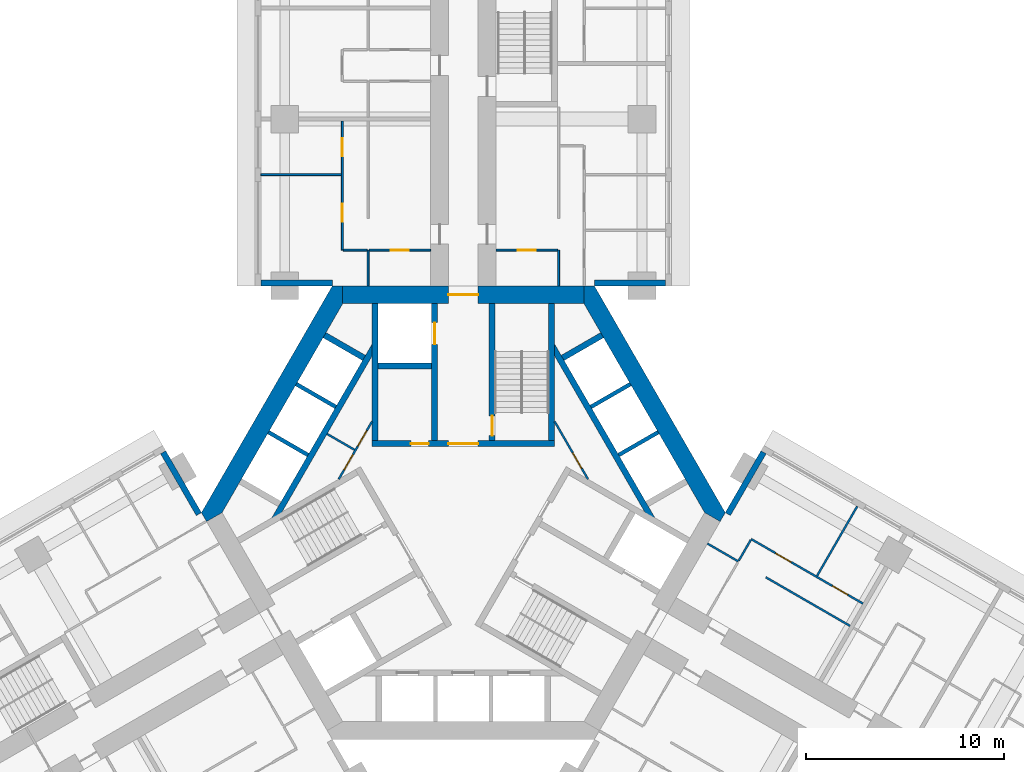
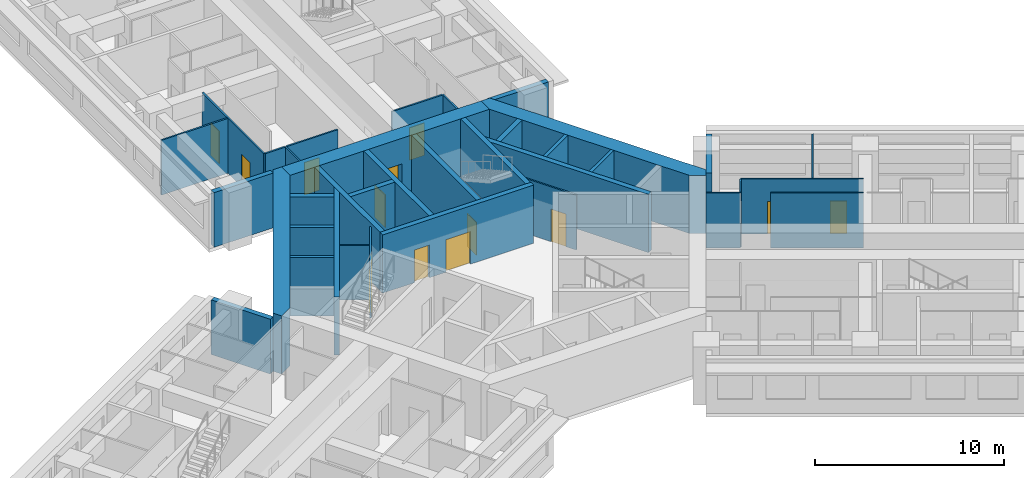
# One storey, part 8 of 16: 36 walls, 14 doors, 14 openings.
"""IFC4 building model written with IfcOpenShell, lengths in metres."""

import ifcopenshell
import ifcopenshell.guid

model = None  # the IFC model being written
_history = None  # IfcOwnerHistory: only IFC2X3 demands one
_inside = {}  # id of a spatial element -> (the spatial element, [elements in it])
_under = {}  # id of a project, library or spatial element -> (it, [spatial elements below it])
_declared = {}  # id of a project -> (the project, [libraries it declares])
_typed = {}  # id of a type object -> (the type object, [elements of that type])
_made_of = {}  # id of a material, layer set ... -> (it, [elements and type objects made of it])


def new_model(schema):
    """Start an empty IFC model of exactly this schema.

    Asked for "IFC4X3", IfcOpenShell would pick the latest addendum, in which some entities
    have other attributes; the version numbers below select the first issue.
    IFC2X3 requires an IfcOwnerHistory on every rooted entity: one is made here for all.
    """
    global model, _history
    if schema == "IFC4X3":
        model = ifcopenshell.file(schema_version=(4, 3, 0, 0))
    else:
        model = ifcopenshell.file(schema=schema)
    _inside.clear()
    _under.clear()
    _declared.clear()
    _typed.clear()
    _made_of.clear()
    _history = None
    if model.schema == "IFC2X3":
        org = make("IfcOrganization", Name="unknown")
        user = make(
            "IfcPersonAndOrganization",
            ThePerson=make("IfcPerson", FamilyName="unknown"),
            TheOrganization=org,
        )
        app = make(
            "IfcApplication",
            ApplicationDeveloper=org,
            Version="unknown",
            ApplicationFullName="unknown",
            ApplicationIdentifier="unknown",
        )
        _history = make(
            "IfcOwnerHistory",
            OwningUser=user,
            OwningApplication=app,
            ChangeAction="ADDED",
            CreationDate=0,
        )
    return model


def make(cls, **values):
    """One entity of the class cls with the attributes given. An attribute that is None is left unset."""
    return model.create_entity(
        cls, **{name: value for name, value in values.items() if value is not None}
    )


def rooted(cls, **values):
    """An entity with a GlobalId (a new one), such as an element, a storey or a relation."""
    return make(cls, GlobalId=ifcopenshell.guid.new(), OwnerHistory=_history, **values)


def si_unit(unit_type, name, prefix=None):
    """IfcSIUnit, for example si_unit("LENGTHUNIT", "METRE", prefix="MILLI")."""
    return make("IfcSIUnit", UnitType=unit_type, Prefix=prefix, Name=name)


def assignment(units):
    """IfcUnitAssignment: the units of a project."""
    return None if units is None else make("IfcUnitAssignment", Units=units)


def point(xyz):
    """IfcCartesianPoint."""
    return None if xyz is None else make("IfcCartesianPoint", Coordinates=xyz)


def direction(xyz):
    """IfcDirection."""
    return None if xyz is None else make("IfcDirection", DirectionRatios=xyz)


def frame(location, z_axis=None, x_axis=None):
    """IfcAxis2Placement3D, a coordinate frame: its origin and axes. An axis left out is left unset."""
    return make(
        "IfcAxis2Placement3D",
        Location=point(location),
        Axis=direction(z_axis),
        RefDirection=direction(x_axis),
    )


def frame_2d(location, x_axis=None):
    """IfcAxis2Placement2D, a coordinate frame in the plane: its origin and x axis."""
    return make(
        "IfcAxis2Placement2D", Location=point(location), RefDirection=direction(x_axis)
    )


def origin():
    """The frame at (0, 0, 0) with its axes left unset."""
    return frame((0.0, 0.0, 0.0))


def place(relative_to, where):
    """IfcLocalPlacement: puts the frame where relative to a parent placement (None: the world)."""
    return make(
        "IfcLocalPlacement", PlacementRelTo=relative_to, RelativePlacement=where
    )


def context(
    kind, dimensions, precision=None, world=None, true_north=None, identifier=None
):
    """IfcGeometricRepresentationContext, for example the 3D "Model" context."""
    return make(
        "IfcGeometricRepresentationContext",
        ContextIdentifier=identifier,
        ContextType=kind,
        CoordinateSpaceDimension=dimensions,
        Precision=precision,
        WorldCoordinateSystem=world,
        TrueNorth=true_north,
    )


def subcontext(parent, identifier, kind, view, scale=None):
    """IfcGeometricRepresentationSubContext, for example "Body" below "Model"."""
    return make(
        "IfcGeometricRepresentationSubContext",
        ContextIdentifier=identifier,
        ContextType=kind,
        ParentContext=parent,
        TargetScale=scale,
        TargetView=view,
    )


def project(units=None, contexts=None):
    """IfcProject with its units and contexts."""
    return rooted(
        "IfcProject",
        Name="project",
        RepresentationContexts=contexts,
        UnitsInContext=assignment(units),
    )


def spatial(cls, under=None, at=None, **own):
    """A site, building, storey or space (cls), placed at a placement, below another one or the project."""
    s = rooted(cls, ObjectPlacement=at, **own)
    if under is not None:
        _under.setdefault(under.id(), (under, []))[1].append(s)
    return s


def polyline(points):
    """IfcPolyline through the points."""
    return make("IfcPolyline", Points=[point(p) for p in points])


def profile(cls, at=None, kind="AREA", **sizes):
    """A parametric profile (cls). Its sizes go by their IFC names, for example OverallWidth=200.0."""
    return make(cls, ProfileType=kind, Position=at, **sizes)


def rectangle(**sizes):
    """IfcRectangleProfileDef."""
    return profile("IfcRectangleProfileDef", **sizes)


def outline(outer, holes=None, kind="AREA"):
    """IfcArbitraryClosedProfileDef: a profile drawn as a closed curve; with holes, ...WithVoids."""
    if holes is None:
        return make("IfcArbitraryClosedProfileDef", ProfileType=kind, OuterCurve=outer)
    return make(
        "IfcArbitraryProfileDefWithVoids",
        ProfileType=kind,
        OuterCurve=outer,
        InnerCurves=holes,
    )


def extrude(swept, where, along, depth):
    """IfcExtrudedAreaSolid: the profile swept, set in the frame where, extruded along a direction by depth."""
    return make(
        "IfcExtrudedAreaSolid",
        SweptArea=swept,
        Position=where,
        ExtrudedDirection=direction(along),
        Depth=depth,
    )


def shape(context_of_items, identifier, shape_type, items):
    """IfcShapeRepresentation: the items that make up one representation, for example the "Body"."""
    return make(
        "IfcShapeRepresentation",
        ContextOfItems=context_of_items,
        RepresentationIdentifier=identifier,
        RepresentationType=shape_type,
        Items=items,
    )


def material(Name=None, Category=None):
    """IfcMaterial."""
    return make("IfcMaterial", Name=Name, Category=Category)


def layer(
    of_material, thickness, ventilated=None, Name=None, Category=None, Priority=None
):
    """IfcMaterialLayer: one layer of a wall or slab, of a material (None: an air gap)."""
    return make(
        "IfcMaterialLayer",
        Material=of_material,
        LayerThickness=thickness,
        IsVentilated=ventilated,
        Name=Name,
        Category=Category,
        Priority=Priority,
    )


def layer_set(layers, Name=None):
    """IfcMaterialLayerSet."""
    return make("IfcMaterialLayerSet", MaterialLayers=layers, LayerSetName=Name)


def made_of(thing, what):
    """Note that an element or type object is made of a material, layer set ...; save() writes the relation."""
    if what is not None:
        _made_of.setdefault(what.id(), (what, []))[1].append(thing)
    return thing


def type_object(cls, material=None, **own):
    """A type object (cls), such as IfcWallType, which elements share."""
    return made_of(rooted(cls, **own), material)


def element(
    cls,
    number,
    at=None,
    inside=None,
    cuts=None,
    type_object=None,
    material=None,
    context=None,
    identifier="Body",
    shape_type=None,
    held_by="IfcProductDefinitionShape",
    body=None,
    shapes=None,
    **own,
):
    """One element of the class cls, such as IfcWall. Its Tag is "e" and its number.

    at: its placement. inside: the storey or other place that contains it. cuts: it is an
    opening in that element (IfcRelVoidsElement). A single representation is given by context,
    identifier, shape_type and body (its items); several are given by shapes. held_by: the class
    of the entity that holds the representations. save() writes the other relations.
    """
    e = rooted(cls, Tag="e%d" % number, ObjectPlacement=at, **own)
    if body is not None:
        shapes = [shape(context, identifier, shape_type, body)]
    if shapes is not None:
        e.Representation = make(held_by, Representations=shapes)
    if inside is not None:
        _inside.setdefault(inside.id(), (inside, []))[1].append(e)
    if cuts is not None:
        rooted(
            "IfcRelVoidsElement", RelatingBuildingElement=cuts, RelatedOpeningElement=e
        )
    if type_object is not None:
        _typed.setdefault(type_object.id(), (type_object, []))[1].append(e)
    return made_of(e, material)


def fill(opening, filler):
    """IfcRelFillsElement: the door or window that sits in an opening."""
    return rooted(
        "IfcRelFillsElement",
        RelatingOpeningElement=opening,
        RelatedBuildingElement=filler,
    )


def aggregate(whole, parts):
    """IfcRelAggregates: a whole, such as a stair, and the parts it consists of."""
    return rooted("IfcRelAggregates", RelatingObject=whole, RelatedObjects=parts)


def save(model, path):
    """Write the relations noted so far, then the file.

    IfcRelAggregates (storeys below a building ...), IfcRelContainedInSpatialStructure (elements
    in a storey), IfcRelDefinesByType, IfcRelAssociatesMaterial and IfcRelDeclares: one each for
    every whole, place, type object, material and project.
    """
    for whole, parts in _under.values():
        aggregate(whole, parts)
    for where, things in _inside.values():
        rooted(
            "IfcRelContainedInSpatialStructure",
            RelatedElements=things,
            RelatingStructure=where,
        )
    for kind, things in _typed.values():
        rooted("IfcRelDefinesByType", RelatedObjects=things, RelatingType=kind)
    for what, things in _made_of.values():
        rooted("IfcRelAssociatesMaterial", RelatedObjects=things, RelatingMaterial=what)
    for by, libraries in _declared.values():
        rooted("IfcRelDeclares", RelatingContext=by, RelatedDefinitions=libraries)
    model.write(path)


model = new_model("IFC4")

# Units and contexts
model_context = context("Model", 3, precision=1e-05, world=origin(), true_north=direction((0.0, 1.0)))
body_context = subcontext(model_context, "Body", "Model", "MODEL_VIEW")
ifc_project = project(units=[si_unit("LENGTHUNIT", "METRE"), si_unit("AREAUNIT", "SQUARE_METRE"), si_unit("VOLUMEUNIT", "CUBIC_METRE"), si_unit("PLANEANGLEUNIT", "RADIAN"), si_unit("MASSUNIT", "GRAM", prefix="KILO")], contexts=[model_context])

# Site, building, storey
site_placement = place(None, origin())
site = spatial("IfcSite", under=ifc_project, at=site_placement, CompositionType="ELEMENT")
building_placement = place(site_placement, origin())
building = spatial("IfcBuilding", under=site, at=building_placement, Name="Impinga Residences", CompositionType="ELEMENT")
storey_placement = place(building_placement, frame((0.0, 0.0, 59.75)))
storey = spatial("IfcBuildingStorey", under=building, at=storey_placement, Name="L14", CompositionType="ELEMENT", Elevation=59.75)

# Wall, opening, door
ifc_material_1 = material(Name="Concrete blockwork", Category="masonry")
ifc_layer_1 = layer(ifc_material_1, 0.10009765625)
ifc_layer_set_1 = layer_set([ifc_layer_1], Name="CP1 core room partition, blockwork 100")
wall_type_1 = type_object("IfcWallType", Name="CP1 core room partition, blockwork 100", PredefinedType="PARTITIONING", material=ifc_layer_set_1)
wall_1_placement = place(storey_placement, frame((4.60009765625, 4.595703125, 0.0), z_axis=(0.0, 0.0, 1.0), x_axis=(0.499976138585, -0.866039179741, 0.0)))
wall_1 = element("IfcWall", 1, at=wall_1_placement, inside=storey, type_object=wall_type_1, Name="Core room partition, blockwork L14:CORE:mid:FP", PredefinedType="PARTITIONING", context=body_context, shape_type="SweptSolid", body=[
    extrude(rectangle(XDim=3.360107421875, YDim=0.10009765625, at=frame_2d((1.68017578125, 0.0))), origin(), (0.0, 0.0, 1.0), 3.530029296875),
])
opening_1_placement = place(wall_1_placement, frame((1.829833984375, 0.0, 0.0)))
opening_1 = element("IfcOpeningElement", 2, at=opening_1_placement, cuts=wall_1, Name="Opening D6", PredefinedType="OPENING", context=body_context, shape_type="SweptSolid", body=[
    extrude(rectangle(XDim=0.89990234375, YDim=2.10009765625, at=frame_2d((0.449951171875, 1.050048828125))), frame((0.0, 0.06005859375, 0.0), z_axis=(0.0, -1.0, 0.0), x_axis=(1.0, 0.0, 0.0)), (0.0, 0.0, 1.0), 0.1201171875),
])
ifc_material_2 = material(Name="Timber door set", Category="wood")
door_type_1 = type_object("IfcDoorType", Name="D6 riser and store door 900x2100", OperationType="SINGLE_SWING_LEFT", PredefinedType="DOOR", material=ifc_material_2)
door_1_placement = place(opening_1_placement, origin())
door_1 = element("IfcDoor", 3, at=door_1_placement, inside=storey, type_object=door_type_1, Name="Residents' storage lockers door", OperationType="SINGLE_SWING_RIGHT", OverallHeight=2.10009765625, OverallWidth=0.89990234375, PredefinedType="DOOR", context=body_context, shape_type="SweptSolid", body=[
    extrude(rectangle(XDim=0.89990234375, YDim=2.10009765625, at=frame_2d((0.449951171875, 1.050048828125))), frame((0.0, 0.02490234375, 0.0), z_axis=(0.0, -1.0, 0.0), x_axis=(1.0, 0.0, 0.0)), (0.0, 0.0, 1.0), 0.050048828125),
])
fill(opening_1, door_1)

# Wall, openings, doors
wall_2_placement = place(storey_placement, frame((-6.280029296875, 1.685791015625, 0.0), z_axis=(0.0, 0.0, 1.0), x_axis=(0.499976138585, 0.866039179741, 0.0)))
wall_2 = element("IfcWall", 4, at=wall_2_placement, inside=storey, type_object=wall_type_1, Name="Core room partition, blockwork L14:CORE:high:FP", PredefinedType="PARTITIONING", context=body_context, shape_type="SweptSolid", body=[
    extrude(rectangle(XDim=3.360107421875, YDim=0.10009765625, at=frame_2d((1.68017578125, 0.0))), origin(), (0.0, 0.0, 1.0), 3.530029296875),
])
opening_2_placement = place(wall_2_placement, frame((0.530029296875, 0.0, 0.0)))
opening_2 = element("IfcOpeningElement", 5, at=opening_2_placement, cuts=wall_2, Name="Opening D6", PredefinedType="OPENING", context=body_context, shape_type="SweptSolid", body=[
    extrude(rectangle(XDim=0.89990234375, YDim=2.10009765625, at=frame_2d((0.449951171875, 1.050048828125))), frame((0.0, 0.06005859375, 0.0), z_axis=(0.0, -1.0, 0.0), x_axis=(1.0, 0.0, 0.0)), (0.0, 0.0, 1.0), 0.1201171875),
])
opening_3_placement = place(wall_2_placement, frame((1.929931640625, 0.0, 0.0)))
opening_3 = element("IfcOpeningElement", 6, at=opening_3_placement, cuts=wall_2, Name="Opening D6", PredefinedType="OPENING", context=body_context, shape_type="SweptSolid", body=[
    extrude(rectangle(XDim=0.89990234375, YDim=2.10009765625, at=frame_2d((0.449951171875, 1.050048828125))), frame((0.0, 0.06005859375, 0.0), z_axis=(0.0, -1.0, 0.0), x_axis=(1.0, 0.0, 0.0)), (0.0, 0.0, 1.0), 0.1201171875),
])
door_2_placement = place(opening_2_placement, origin())
door_2 = element("IfcDoor", 7, at=door_2_placement, inside=storey, type_object=door_type_1, Name="Refuse room door", OperationType="SINGLE_SWING_LEFT", OverallHeight=2.10009765625, OverallWidth=0.89990234375, PredefinedType="DOOR", context=body_context, shape_type="SweptSolid", body=[
    extrude(rectangle(XDim=0.89990234375, YDim=2.10009765625, at=frame_2d((0.449951171875, 1.050048828125))), frame((0.0, 0.02490234375, 0.0), z_axis=(0.0, -1.0, 0.0), x_axis=(1.0, 0.0, 0.0)), (0.0, 0.0, 1.0), 0.050048828125),
])
fill(opening_2, door_2)
door_3_placement = place(opening_3_placement, origin())
door_3 = element("IfcDoor", 8, at=door_3_placement, inside=storey, type_object=door_type_1, Name="Recycling store door", OperationType="SINGLE_SWING_RIGHT", OverallHeight=2.10009765625, OverallWidth=0.89990234375, PredefinedType="DOOR", context=body_context, shape_type="SweptSolid", body=[
    extrude(rectangle(XDim=0.89990234375, YDim=2.10009765625, at=frame_2d((0.449951171875, 1.050048828125))), frame((0.0, 0.02490234375, 0.0), z_axis=(0.0, -1.0, 0.0), x_axis=(1.0, 0.0, 0.0)), (0.0, 0.0, 1.0), 0.050048828125),
])
fill(opening_3, door_3)

# Walls
wall_3_placement = place(storey_placement, frame((-5.483154296875, 3.165771484375, 0.0), z_axis=(0.0, 0.0, 1.0), x_axis=(-0.866028054938, 0.499995408039, 0.0)))
element("IfcWall", 9, at=wall_3_placement, inside=storey, type_object=wall_type_1, Name="Core room partition, blockwork L14:CORE:high:FS", PredefinedType="PARTITIONING", context=body_context, shape_type="SweptSolid", body=[
    extrude(rectangle(XDim=1.60009765625, YDim=0.10009765625, at=frame_2d((0.800048828125, 0.0))), origin(), (0.0, 0.0, 1.0), 3.530029296875),
])
ifc_material_3 = material(Name="Terracotta rainscreen on blockwork", Category="masonry")
ifc_layer_2 = layer(ifc_material_3, 0.300048828125)
ifc_layer_set_2 = layer_set([ifc_layer_2], Name="EW1 external wall, terracotta rainscreen on blockwork 300")
wall_type_2 = type_object("IfcWallType", Name="EW1 external wall, terracotta rainscreen on blockwork 300", PredefinedType="SOLIDWALL", material=ifc_layer_set_2)
wall_4_placement = place(storey_placement, frame((-15.1298828125, 3.042724609375, 0.0), z_axis=(0.0, 0.0, 1.0), x_axis=(0.500012057535, -0.866018442252, 0.0)))
element("IfcWall", 10, at=wall_4_placement, inside=storey, type_object=wall_type_2, Name="External wall EW1 L14", PredefinedType="SOLIDWALL", context=body_context, shape_type="SweptSolid", body=[
    extrude(rectangle(XDim=3.60009765625, YDim=0.300048828125, at=frame_2d((1.800048828125, 0.0))), origin(), (0.0, 0.0, 1.0), 3.530029296875),
])
for number, where, z_axis, x_axis, name in (
    (11, (-6.60009765625, 11.58154296875, 0.0), (0.0, 0.0, 1.0), (-1.0, 0.0, 0.0), "External wall EW1 L14"),
    (12, (10.199951171875, 11.58154296875, 0.0), (0.0, 0.0, 1.0), (-1.0, 0.0, 0.0), "External wall EW1 L14"),
):
    element("IfcWall", number, at=place(storey_placement, frame(where, z_axis=z_axis, x_axis=x_axis)), inside=storey, type_object=wall_type_2, Name=name, PredefinedType="SOLIDWALL", context=body_context, shape_type="SweptSolid", body=[
        extrude(rectangle(XDim=3.599853515625, YDim=0.300048828125, at=frame_2d((1.7998046875, 0.0))), origin(), (0.0, 0.0, 1.0), 3.530029296875),
    ])
wall_5_placement = place(storey_placement, frame((13.329833984375, -0.074951171875, 0.0), z_axis=(0.0, 0.0, 1.0), x_axis=(0.500012057535, 0.866018442252, 0.0)))
element("IfcWall", 13, at=wall_5_placement, inside=storey, type_object=wall_type_2, Name="External wall EW1 L14", PredefinedType="SOLIDWALL", context=body_context, shape_type="SweptSolid", body=[
    extrude(rectangle(XDim=3.60009765625, YDim=0.300048828125, at=frame_2d((1.800048828125, 0.0))), origin(), (0.0, 0.0, 1.0), 3.530029296875),
])
ifc_material_4 = material(Name="Gypsum board on steel studs", Category="steel")
ifc_layer_3 = layer(ifc_material_4, 0.10009765625)
ifc_layer_set_3 = layer_set([ifc_layer_3], Name="Gypsum board on steel studs")
wall_type_3 = type_object("IfcWallType", Name="IP1 partition 100", PredefinedType="PARTITIONING", material=ifc_layer_set_3)
wall_6_placement = place(storey_placement, frame((-4.800048828125, 11.431640625, 0.0), z_axis=(0.0, 0.0, 1.0), x_axis=(0.0, 1.0, 0.0)))
element("IfcWall", 14, at=wall_6_placement, inside=storey, type_object=wall_type_3, Name="Partition L14-NA1:DIV0", PredefinedType="PARTITIONING", context=body_context, shape_type="SweptSolid", body=[
    extrude(rectangle(XDim=1.7998046875, YDim=0.10009765625, at=frame_2d((0.89990234375, 0.0))), origin(), (0.0, 0.0, 1.0), 3.530029296875),
])

# Wall, openings, doors
wall_7_placement = place(storey_placement, frame((-6.10009765625, 13.2314453125, 0.0), z_axis=(0.0, 0.0, 1.0), x_axis=(0.0, 1.0, 0.0)))
wall_7 = element("IfcWall", 15, at=wall_7_placement, inside=storey, type_object=wall_type_3, Name="Partition L14-NA1:STRIP", PredefinedType="PARTITIONING", context=body_context, shape_type="SweptSolid", body=[
    extrude(rectangle(XDim=6.5, YDim=0.10009765625, at=frame_2d((3.25, 0.0))), origin(), (0.0, 0.0, 1.0), 3.530029296875),
])
opening_4_placement = place(wall_7_placement, frame((1.425048828125, 0.0, 0.0)))
opening_4 = element("IfcOpeningElement", 16, at=opening_4_placement, cuts=wall_7, Name="Opening D2", PredefinedType="OPENING", context=body_context, shape_type="SweptSolid", body=[
    extrude(rectangle(XDim=0.89990234375, YDim=2.10009765625, at=frame_2d((0.449951171875, 1.050048828125))), frame((0.0, 0.06005859375, 0.0), z_axis=(0.0, -1.0, 0.0), x_axis=(1.0, 0.0, 0.0)), (0.0, 0.0, 1.0), 0.1201171875),
])
opening_5_placement = place(wall_7_placement, frame((4.72509765625, 0.0, 0.0)))
opening_5 = element("IfcOpeningElement", 17, at=opening_5_placement, cuts=wall_7, Name="Opening D2", PredefinedType="OPENING", context=body_context, shape_type="SweptSolid", body=[
    extrude(rectangle(XDim=0.89990234375, YDim=2.10009765625, at=frame_2d((0.449951171875, 1.050048828125))), frame((0.0, 0.06005859375, 0.0), z_axis=(0.0, -1.0, 0.0), x_axis=(1.0, 0.0, 0.0)), (0.0, 0.0, 1.0), 0.1201171875),
])
door_type_2 = type_object("IfcDoorType", Name="D2 internal door 900x2100", OperationType="SINGLE_SWING_LEFT", PredefinedType="DOOR", material=ifc_material_2)
door_4_placement = place(opening_4_placement, origin())
door_4 = element("IfcDoor", 18, at=door_4_placement, inside=storey, type_object=door_type_2, Name="Apartment L14-NA1 room door", OperationType="SINGLE_SWING_LEFT", OverallHeight=2.10009765625, OverallWidth=0.89990234375, PredefinedType="DOOR", context=body_context, shape_type="SweptSolid", body=[
    extrude(rectangle(XDim=0.89990234375, YDim=2.10009765625, at=frame_2d((0.449951171875, 1.050048828125))), frame((0.0, 0.02490234375, 0.0), z_axis=(0.0, -1.0, 0.0), x_axis=(1.0, 0.0, 0.0)), (0.0, 0.0, 1.0), 0.050048828125),
])
fill(opening_4, door_4)
door_5_placement = place(opening_5_placement, origin())
door_5 = element("IfcDoor", 19, at=door_5_placement, inside=storey, type_object=door_type_2, Name="Apartment L14-NA1 room door", OperationType="SINGLE_SWING_RIGHT", OverallHeight=2.10009765625, OverallWidth=0.89990234375, PredefinedType="DOOR", context=body_context, shape_type="SweptSolid", body=[
    extrude(rectangle(XDim=0.89990234375, YDim=2.10009765625, at=frame_2d((0.449951171875, 1.050048828125))), frame((0.0, 0.02490234375, 0.0), z_axis=(0.0, -1.0, 0.0), x_axis=(1.0, 0.0, 0.0)), (0.0, 0.0, 1.0), 0.050048828125),
])
fill(opening_5, door_5)

# Wall
wall_8_placement = place(storey_placement, frame((-4.85009765625, 13.2314453125, 0.0), z_axis=(0.0, 0.0, 1.0), x_axis=(-1.0, 0.0, 0.0)))
element("IfcWall", 20, at=wall_8_placement, inside=storey, type_object=wall_type_3, Name="Partition L14-NA1:SE0", PredefinedType="PARTITIONING", context=body_context, shape_type="SweptSolid", body=[
    extrude(rectangle(XDim=1.199951171875, YDim=0.10009765625, at=frame_2d((0.60009765625, 0.0))), origin(), (0.0, 0.0, 1.0), 3.530029296875),
])

# Wall, opening, door
wall_9_placement = place(storey_placement, frame((-1.64990234375, 13.2314453125, 0.0), z_axis=(0.0, 0.0, 1.0), x_axis=(-1.0, 0.0, 0.0)))
wall_9 = element("IfcWall", 21, at=wall_9_placement, inside=storey, type_object=wall_type_3, Name="Partition L14-NA1:IB1", PredefinedType="PARTITIONING", context=body_context, shape_type="SweptSolid", body=[
    extrude(rectangle(XDim=3.10009765625, YDim=0.10009765625, at=frame_2d((1.550048828125, 0.0))), origin(), (0.0, 0.0, 1.0), 3.530029296875),
])
opening_6_placement = place(wall_9_placement, frame((1.10009765625, 0.0, 0.0)))
opening_6 = element("IfcOpeningElement", 22, at=opening_6_placement, cuts=wall_9, Name="Opening D2", PredefinedType="OPENING", context=body_context, shape_type="SweptSolid", body=[
    extrude(rectangle(XDim=0.89990234375, YDim=2.10009765625, at=frame_2d((0.449951171875, 1.050048828125))), frame((0.0, 0.06005859375, 0.0), z_axis=(0.0, -1.0, 0.0), x_axis=(1.0, 0.0, 0.0)), (0.0, 0.0, 1.0), 0.1201171875),
])
door_6_placement = place(opening_6_placement, origin())
door_6 = element("IfcDoor", 23, at=door_6_placement, inside=storey, type_object=door_type_2, Name="Apartment L14-NA1 bathroom door", OperationType="SINGLE_SWING_LEFT", OverallHeight=2.10009765625, OverallWidth=0.89990234375, PredefinedType="DOOR", context=body_context, shape_type="SweptSolid", body=[
    extrude(rectangle(XDim=0.89990234375, YDim=2.10009765625, at=frame_2d((0.449951171875, 1.050048828125))), frame((0.0, 0.02490234375, 0.0), z_axis=(0.0, -1.0, 0.0), x_axis=(1.0, 0.0, 0.0)), (0.0, 0.0, 1.0), 0.050048828125),
])
fill(opening_6, door_6)

# Walls
wall_10_placement = place(storey_placement, frame((-6.14990234375, 17.031494140625, 0.0), z_axis=(0.0, 0.0, 1.0), x_axis=(-1.0, 0.0, 0.0)))
element("IfcWall", 24, at=wall_10_placement, inside=storey, type_object=wall_type_3, Name="Partition L14-NA1:OB1", PredefinedType="PARTITIONING", context=body_context, shape_type="SweptSolid", body=[
    extrude(rectangle(XDim=4.050048828125, YDim=0.10009765625, at=frame_2d((2.02490234375, 0.0))), origin(), (0.0, 0.0, 1.0), 3.530029296875),
])
wall_11_placement = place(storey_placement, frame((4.800048828125, 11.431640625, 0.0), z_axis=(0.0, 0.0, 1.0), x_axis=(0.0, 1.0, 0.0)))
element("IfcWall", 25, at=wall_11_placement, inside=storey, type_object=wall_type_3, Name="Partition L14-NF1:DIV0", PredefinedType="PARTITIONING", context=body_context, shape_type="SweptSolid", body=[
    extrude(rectangle(XDim=1.7998046875, YDim=0.10009765625, at=frame_2d((0.89990234375, 0.0))), origin(), (0.0, 0.0, 1.0), 3.530029296875),
])

# Wall, opening, door
wall_12_placement = place(storey_placement, frame((1.64990234375, 13.2314453125, 0.0), z_axis=(0.0, 0.0, 1.0), x_axis=(1.0, 0.0, 0.0)))
wall_12 = element("IfcWall", 26, at=wall_12_placement, inside=storey, type_object=wall_type_3, Name="Partition L14-NF1:IB1", PredefinedType="PARTITIONING", context=body_context, shape_type="SweptSolid", body=[
    extrude(rectangle(XDim=3.10009765625, YDim=0.10009765625, at=frame_2d((1.550048828125, 0.0))), origin(), (0.0, 0.0, 1.0), 3.530029296875),
])
opening_7_placement = place(wall_12_placement, frame((1.10009765625, 0.0, 0.0)))
opening_7 = element("IfcOpeningElement", 27, at=opening_7_placement, cuts=wall_12, Name="Opening D2", PredefinedType="OPENING", context=body_context, shape_type="SweptSolid", body=[
    extrude(rectangle(XDim=0.89990234375, YDim=2.10009765625, at=frame_2d((0.449951171875, 1.050048828125))), frame((0.0, 0.06005859375, 0.0), z_axis=(0.0, -1.0, 0.0), x_axis=(1.0, 0.0, 0.0)), (0.0, 0.0, 1.0), 0.1201171875),
])
door_7_placement = place(opening_7_placement, origin())
door_7 = element("IfcDoor", 28, at=door_7_placement, inside=storey, type_object=door_type_2, Name="Apartment L14-NF1 bathroom door", OperationType="SINGLE_SWING_LEFT", OverallHeight=2.10009765625, OverallWidth=0.89990234375, PredefinedType="DOOR", context=body_context, shape_type="SweptSolid", body=[
    extrude(rectangle(XDim=0.89990234375, YDim=2.10009765625, at=frame_2d((0.449951171875, 1.050048828125))), frame((0.0, 0.02490234375, 0.0), z_axis=(0.0, -1.0, 0.0), x_axis=(1.0, 0.0, 0.0)), (0.0, 0.0, 1.0), 0.050048828125),
])
fill(opening_7, door_7)

# Walls
wall_13_placement = place(storey_placement, frame((12.300048828125, -1.558837890625, 0.0), z_axis=(0.0, 0.0, 1.0), x_axis=(0.866047807691, -0.499961193289, 0.0)))
element("IfcWall", 29, at=wall_13_placement, inside=storey, type_object=wall_type_3, Name="Partition L14-EA1:DIV0", PredefinedType="PARTITIONING", context=body_context, shape_type="SweptSolid", body=[
    extrude(rectangle(XDim=1.800048828125, YDim=0.10009765625, at=frame_2d((0.89990234375, 0.0))), origin(), (0.0, 0.0, 1.0), 3.530029296875),
])
wall_14_placement = place(storey_placement, frame((15.244384765625, -3.2587890625, 0.0), z_axis=(0.0, 0.0, 1.0), x_axis=(0.866036242063, -0.49998122708, 0.0)))
element("IfcWall", 30, at=wall_14_placement, inside=storey, type_object=wall_type_3, Name="Partition L14-EA1:DIV1", PredefinedType="PARTITIONING", context=body_context, shape_type="SweptSolid", body=[
    extrude(rectangle(XDim=4.900146484375, YDim=0.10009765625, at=frame_2d((2.4501953125, 0.0))), origin(), (0.0, 0.0, 1.0), 3.530029296875),
])

# Wall, openings, doors
wall_15_placement = place(storey_placement, frame((14.5087890625, -1.3330078125, 0.0), z_axis=(0.0, 0.0, 1.0), x_axis=(0.866024837091, -0.50000098154, 0.0)))
wall_15 = element("IfcWall", 31, at=wall_15_placement, inside=storey, type_object=wall_type_3, Name="Partition L14-EA1:STRIP", PredefinedType="PARTITIONING", context=body_context, shape_type="SweptSolid", body=[
    extrude(rectangle(XDim=6.5, YDim=0.10009765625, at=frame_2d((3.25, 0.0))), origin(), (0.0, 0.0, 1.0), 3.530029296875),
])
opening_8_placement = place(wall_15_placement, frame((1.425048828125, 0.0, 0.0)))
opening_8 = element("IfcOpeningElement", 32, at=opening_8_placement, cuts=wall_15, Name="Opening D2", PredefinedType="OPENING", context=body_context, shape_type="SweptSolid", body=[
    extrude(rectangle(XDim=0.89990234375, YDim=2.10009765625, at=frame_2d((0.449951171875, 1.050048828125))), frame((0.0, 0.06005859375, 0.0), z_axis=(0.0, -1.0, 0.0), x_axis=(1.0, 0.0, 0.0)), (0.0, 0.0, 1.0), 0.1201171875),
])
opening_9_placement = place(wall_15_placement, frame((4.72509765625, 0.0, 0.0)))
opening_9 = element("IfcOpeningElement", 33, at=opening_9_placement, cuts=wall_15, Name="Opening D2", PredefinedType="OPENING", context=body_context, shape_type="SweptSolid", body=[
    extrude(rectangle(XDim=0.89990234375, YDim=2.10009765625, at=frame_2d((0.449951171875, 1.050048828125))), frame((0.0, 0.06005859375, 0.0), z_axis=(0.0, -1.0, 0.0), x_axis=(1.0, 0.0, 0.0)), (0.0, 0.0, 1.0), 0.1201171875),
])
door_8_placement = place(opening_8_placement, origin())
door_8 = element("IfcDoor", 34, at=door_8_placement, inside=storey, type_object=door_type_2, Name="Apartment L14-EA1 room door", OperationType="SINGLE_SWING_LEFT", OverallHeight=2.10009765625, OverallWidth=0.89990234375, PredefinedType="DOOR", context=body_context, shape_type="SweptSolid", body=[
    extrude(rectangle(XDim=0.89990234375, YDim=2.10009765625, at=frame_2d((0.449951171875, 1.050048828125))), frame((0.0, 0.02490234375, 0.0), z_axis=(0.0, -1.0, 0.0), x_axis=(1.0, 0.0, 0.0)), (0.0, 0.0, 1.0), 0.050048828125),
])
fill(opening_8, door_8)
door_9_placement = place(opening_9_placement, origin())
door_9 = element("IfcDoor", 35, at=door_9_placement, inside=storey, type_object=door_type_2, Name="Apartment L14-EA1 room door", OperationType="SINGLE_SWING_RIGHT", OverallHeight=2.10009765625, OverallWidth=0.89990234375, PredefinedType="DOOR", context=body_context, shape_type="SweptSolid", body=[
    extrude(rectangle(XDim=0.89990234375, YDim=2.10009765625, at=frame_2d((0.449951171875, 1.050048828125))), frame((0.0, 0.02490234375, 0.0), z_axis=(0.0, -1.0, 0.0), x_axis=(1.0, 0.0, 0.0)), (0.0, 0.0, 1.0), 0.050048828125),
])
fill(opening_9, door_9)

# Walls
wall_16_placement = place(storey_placement, frame((13.8837890625, -2.41552734375, 0.0), z_axis=(0.0, 0.0, 1.0), x_axis=(0.500033551112, 0.866006032174, 0.0)))
element("IfcWall", 36, at=wall_16_placement, inside=storey, type_object=wall_type_3, Name="Partition L14-EA1:SE0", PredefinedType="PARTITIONING", context=body_context, shape_type="SweptSolid", body=[
    extrude(rectangle(XDim=1.2001953125, YDim=0.10009765625, at=frame_2d((0.60009765625, 0.0))), origin(), (0.0, 0.0, 1.0), 3.530029296875),
])
wall_17_placement = place(storey_placement, frame((17.82470703125, -3.189697265625, 0.0), z_axis=(0.0, 0.0, 1.0), x_axis=(0.500035537042, 0.866004885491, 0.0)))
element("IfcWall", 37, at=wall_17_placement, inside=storey, type_object=wall_type_3, Name="Partition L14-EA1:OB1", PredefinedType="PARTITIONING", context=body_context, shape_type="SweptSolid", body=[
    extrude(rectangle(XDim=4.050048828125, YDim=0.10009765625, at=frame_2d((2.02490234375, 0.0))), origin(), (0.0, 0.0, 1.0), 3.530029296875),
])

# Wall, opening, door
ifc_material_5 = material(Name="Concrete C70/85", Category="concrete")
ifc_layer_4 = layer(ifc_material_5, 0.89990234375)
ifc_layer_set_4 = layer_set([ifc_layer_4], Name="Concrete C70/85")
wall_type_4 = type_object("IfcWallType", Name="SW1 core wall 900", PredefinedType="SHEAR", material=ifc_layer_set_4)
wall_18_placement = place(storey_placement, frame((-6.080322265625, 10.9814453125, 0.0), z_axis=(0.0, 0.0, 1.0), x_axis=(1.0, 0.0, 0.0)))
wall_18 = element("IfcWall", 38, at=wall_18_placement, inside=storey, type_object=wall_type_4, Name="Core wall SW1 N:FACE L14", PredefinedType="SHEAR", context=body_context, shape_type="SweptSolid", body=[
    extrude(rectangle(XDim=12.16064453125, YDim=0.89990234375, at=frame_2d((6.080322265625, 0.0))), origin(), (0.0, 0.0, 1.0), 3.75),
])
opening_10_placement = place(wall_18_placement, frame((5.330322265625, 0.0, 0.0)))
opening_10 = element("IfcOpeningElement", 39, at=opening_10_placement, cuts=wall_18, Name="Opening D4", PredefinedType="OPENING", context=body_context, shape_type="SweptSolid", body=[
    extrude(rectangle(XDim=1.5, YDim=2.10009765625, at=frame_2d((0.75, 1.050048828125))), frame((0.0, 0.4599609375, 0.0), z_axis=(0.0, -1.0, 0.0), x_axis=(1.0, 0.0, 0.0)), (0.0, 0.0, 1.0), 0.919921875),
])
door_type_3 = type_object("IfcDoorType", Name="D4 lobby door pair 1500x2100", OperationType="DOUBLE_DOOR_DOUBLE_SWING", PredefinedType="DOOR", material=ifc_material_2)
door_10_placement = place(opening_10_placement, origin())
door_10 = element("IfcDoor", 40, at=door_10_placement, inside=storey, type_object=door_type_3, Name="Lobby door N", OperationType="DOUBLE_DOOR_DOUBLE_SWING", OverallHeight=2.10009765625, OverallWidth=1.5, PredefinedType="DOOR", context=body_context, shape_type="SweptSolid", body=[
    extrude(rectangle(XDim=1.5, YDim=2.10009765625, at=frame_2d((0.75, 1.050048828125))), frame((0.0, 0.02490234375, 0.0), z_axis=(0.0, -1.0, 0.0), x_axis=(1.0, 0.0, 0.0)), (0.0, 0.0, 1.0), 0.050048828125),
])
fill(opening_10, door_10)

# Walls
wall_19_placement = place(storey_placement, origin())
element("IfcWall", 41, at=wall_19_placement, inside=storey, type_object=wall_type_4, Name="Core wall SW1 W:EXPOSED L14", PredefinedType="SHEAR", context=body_context, shape_type="SweptSolid", body=[
    extrude(outline(polyline([(13.199951171875, 0.0), (6.60009765625, 11.431640625), (6.080322265625, 11.431640625), (6.080322265625, 10.531494140625), (12.160888671875, 0.0), (12.940185546875, -0.449951171875), (13.199951171875, 0.0)])), origin(), (0.0, 0.0, 1.0), 3.75),
])
wall_20_placement = place(storey_placement, origin())
element("IfcWall", 42, at=wall_20_placement, inside=storey, type_object=wall_type_4, Name="Core wall SW1 E:EXPOSED L14", PredefinedType="SHEAR", context=body_context, shape_type="SweptSolid", body=[
    extrude(outline(polyline([(-6.60009765625, 11.431640625), (-13.199951171875, 0.0), (-12.940185546875, -0.449951171875), (-12.160888671875, 0.0), (-6.080322265625, 10.531494140625), (-6.080322265625, 11.431640625), (-6.60009765625, 11.431640625)])), origin(), (0.0, 0.0, 1.0), 3.75),
])

# Wall, openings, doors
ifc_layer_5 = layer(ifc_material_5, 0.300048828125)
ifc_layer_set_5 = layer_set([ifc_layer_5], Name="Concrete C70/85")
wall_type_5 = type_object("IfcWallType", Name="SW5 core inner wall, stairs, shafts and lobbies 300", PredefinedType="SHEAR", material=ifc_layer_set_5)
wall_21_placement = place(storey_placement, frame((-4.60009765625, 3.47998046875, 0.0), z_axis=(0.0, 0.0, 1.0), x_axis=(1.0, 0.0, 0.0)))
wall_21 = element("IfcWall", 43, at=wall_21_placement, inside=storey, type_object=wall_type_5, Name="Core wall SW5 N:ZONE L14", PredefinedType="SHEAR", context=body_context, shape_type="SweptSolid", body=[
    extrude(rectangle(XDim=9.2001953125, YDim=0.300048828125, at=frame_2d((4.60009765625, 0.0))), origin(), (0.0, 0.0, 1.0), 3.75),
])
opening_11_placement = place(wall_21_placement, frame((3.85009765625, 0.0, 0.0)))
opening_11 = element("IfcOpeningElement", 44, at=opening_11_placement, cuts=wall_21, Name="Opening D4", PredefinedType="OPENING", context=body_context, shape_type="SweptSolid", body=[
    extrude(rectangle(XDim=1.5, YDim=2.10009765625, at=frame_2d((0.75, 1.050048828125))), frame((0.0, 0.159912109375, 0.0), z_axis=(0.0, -1.0, 0.0), x_axis=(1.0, 0.0, 0.0)), (0.0, 0.0, 1.0), 0.320068359375),
])
opening_12_placement = place(wall_21_placement, frame((1.949951171875, 0.0, 0.0)))
opening_12 = element("IfcOpeningElement", 45, at=opening_12_placement, cuts=wall_21, Name="Opening D6", PredefinedType="OPENING", context=body_context, shape_type="SweptSolid", body=[
    extrude(rectangle(XDim=0.89990234375, YDim=2.10009765625, at=frame_2d((0.449951171875, 1.050048828125))), frame((0.0, 0.159912109375, 0.0), z_axis=(0.0, -1.0, 0.0), x_axis=(1.0, 0.0, 0.0)), (0.0, 0.0, 1.0), 0.320068359375),
])
door_11_placement = place(opening_11_placement, origin())
door_11 = element("IfcDoor", 46, at=door_11_placement, inside=storey, type_object=door_type_3, Name="Firefighting lobby door N", OperationType="DOUBLE_DOOR_DOUBLE_SWING", OverallHeight=2.10009765625, OverallWidth=1.5, PredefinedType="DOOR", context=body_context, shape_type="SweptSolid", body=[
    extrude(rectangle(XDim=1.5, YDim=2.10009765625, at=frame_2d((0.75, 1.050048828125))), frame((0.0, 0.02490234375, 0.0), z_axis=(0.0, -1.0, 0.0), x_axis=(1.0, 0.0, 0.0)), (0.0, 0.0, 1.0), 0.050048828125),
])
fill(opening_11, door_11)
door_12_placement = place(opening_12_placement, origin())
door_12 = element("IfcDoor", 47, at=door_12_placement, inside=storey, type_object=door_type_1, Name="Riser door N", OperationType="SINGLE_SWING_LEFT", OverallHeight=2.10009765625, OverallWidth=0.89990234375, PredefinedType="DOOR", context=body_context, shape_type="SweptSolid", body=[
    extrude(rectangle(XDim=0.89990234375, YDim=2.10009765625, at=frame_2d((0.449951171875, 1.050048828125))), frame((0.0, 0.02490234375, 0.0), z_axis=(0.0, -1.0, 0.0), x_axis=(1.0, 0.0, 0.0)), (0.0, 0.0, 1.0), 0.050048828125),
])
fill(opening_12, door_12)

# Wall, opening, door
wall_22_placement = place(storey_placement, frame((1.449951171875, 3.6298828125, 0.0), z_axis=(0.0, 0.0, 1.0), x_axis=(0.0, 1.0, 0.0)))
wall_22 = element("IfcWall", 48, at=wall_22_placement, inside=storey, type_object=wall_type_5, Name="Core wall SW5 N:ST-IN L14", PredefinedType="SHEAR", context=body_context, shape_type="SweptSolid", body=[
    extrude(rectangle(XDim=6.901611328125, YDim=0.300048828125, at=frame_2d((3.45068359375, 0.0))), origin(), (0.0, 0.0, 1.0), 3.75),
])
opening_13_placement = place(wall_22_placement, frame((0.25, 0.0, 0.0)))
opening_13 = element("IfcOpeningElement", 49, at=opening_13_placement, cuts=wall_22, Name="Opening D5", PredefinedType="OPENING", context=body_context, shape_type="SweptSolid", body=[
    extrude(rectangle(XDim=1.0, YDim=2.10009765625, at=frame_2d((0.5, 1.050048828125))), frame((0.0, 0.159912109375, 0.0), z_axis=(0.0, -1.0, 0.0), x_axis=(1.0, 0.0, 0.0)), (0.0, 0.0, 1.0), 0.320068359375),
])
door_type_4 = type_object("IfcDoorType", Name="D5 stair door 1000x2100", OperationType="SINGLE_SWING_LEFT", PredefinedType="DOOR", material=ifc_material_2)
door_13_placement = place(opening_13_placement, origin())
door_13 = element("IfcDoor", 50, at=door_13_placement, inside=storey, type_object=door_type_4, Name="Stair door N", OperationType="SINGLE_SWING_LEFT", OverallHeight=2.10009765625, OverallWidth=1.0, PredefinedType="DOOR", context=body_context, shape_type="SweptSolid", body=[
    extrude(rectangle(XDim=1.0, YDim=2.10009765625, at=frame_2d((0.5, 1.050048828125))), frame((0.0, 0.02490234375, 0.0), z_axis=(0.0, -1.0, 0.0), x_axis=(1.0, 0.0, 0.0)), (0.0, 0.0, 1.0), 0.050048828125),
])
fill(opening_13, door_13)

# Wall
wall_23_placement = place(storey_placement, frame((4.449951171875, 3.6298828125, 0.0), z_axis=(0.0, 0.0, 1.0), x_axis=(0.0, 1.0, 0.0)))
element("IfcWall", 51, at=wall_23_placement, inside=storey, type_object=wall_type_5, Name="Core wall SW5 N:ST-OUT L14", PredefinedType="SHEAR", context=body_context, shape_type="SweptSolid", body=[
    extrude(rectangle(XDim=6.901611328125, YDim=0.300048828125, at=frame_2d((3.45068359375, 0.0))), origin(), (0.0, 0.0, 1.0), 3.75),
])

# Wall, opening, door
wall_24_placement = place(storey_placement, frame((-1.449951171875, 3.6298828125, 0.0), z_axis=(0.0, 0.0, 1.0), x_axis=(0.0, 1.0, 0.0)))
wall_24 = element("IfcWall", 52, at=wall_24_placement, inside=storey, type_object=wall_type_5, Name="Core wall SW5 N:FF-IN L14", PredefinedType="SHEAR", context=body_context, shape_type="SweptSolid", body=[
    extrude(rectangle(XDim=6.901611328125, YDim=0.300048828125, at=frame_2d((3.45068359375, 0.0))), origin(), (0.0, 0.0, 1.0), 3.75),
])
opening_14_placement = place(wall_24_placement, frame((4.85009765625, 0.0, 0.0)))
opening_14 = element("IfcOpeningElement", 53, at=opening_14_placement, cuts=wall_24, Name="Opening LD2", PredefinedType="OPENING", context=body_context, shape_type="SweptSolid", body=[
    extrude(rectangle(XDim=1.10009765625, YDim=2.10009765625, at=frame_2d((0.550048828125, 1.050048828125))), frame((0.0, 0.159912109375, 0.0), z_axis=(0.0, -1.0, 0.0), x_axis=(1.0, 0.0, 0.0)), (0.0, 0.0, 1.0), 0.320068359375),
])
ifc_material_6 = material(Name="Steel lift landing door", Category="steel")
door_type_5 = type_object("IfcDoorType", Name="LD2 firefighting lift landing door 1100x2100", OperationType="DOUBLE_DOOR_SLIDING", PredefinedType="DOOR", material=ifc_material_6)
door_14_placement = place(opening_14_placement, origin())
door_14 = element("IfcDoor", 54, at=door_14_placement, inside=storey, type_object=door_type_5, Name="Firefighting lift landing door F1", OperationType="DOUBLE_DOOR_SLIDING", OverallHeight=2.10009765625, OverallWidth=1.10009765625, PredefinedType="DOOR", context=body_context, shape_type="SweptSolid", body=[
    extrude(rectangle(XDim=1.10009765625, YDim=2.10009765625, at=frame_2d((0.550048828125, 1.050048828125))), frame((0.0, 0.02490234375, 0.0), z_axis=(0.0, -1.0, 0.0), x_axis=(1.0, 0.0, 0.0)), (0.0, 0.0, 1.0), 0.050048828125),
])
fill(opening_14, door_14)

# Walls
wall_25_placement = place(storey_placement, frame((-4.449951171875, 3.6298828125, 0.0), z_axis=(0.0, 0.0, 1.0), x_axis=(0.0, 1.0, 0.0)))
element("IfcWall", 55, at=wall_25_placement, inside=storey, type_object=wall_type_5, Name="Core wall SW5 N:FF-OUT L14", PredefinedType="SHEAR", context=body_context, shape_type="SweptSolid", body=[
    extrude(rectangle(XDim=6.901611328125, YDim=0.300048828125, at=frame_2d((3.45068359375, 0.0))), origin(), (0.0, 0.0, 1.0), 3.75),
])
wall_26_placement = place(storey_placement, frame((-4.300048828125, 7.3798828125, 0.0), z_axis=(0.0, 0.0, 1.0), x_axis=(1.0, 0.0, 0.0)))
element("IfcWall", 56, at=wall_26_placement, inside=storey, type_object=wall_type_5, Name="Core wall SW5 N:FF-RS L14", PredefinedType="SHEAR", context=body_context, shape_type="SweptSolid", body=[
    extrude(rectangle(XDim=2.699951171875, YDim=0.300048828125, at=frame_2d((1.35009765625, 0.0))), origin(), (0.0, 0.0, 1.0), 3.75),
])
wall_27_placement = place(storey_placement, frame((4.449951171875, 8.455322265625, 0.0), z_axis=(0.0, 0.0, 1.0), x_axis=(0.500002290144, -0.866024081565, 0.0)))
element("IfcWall", 57, at=wall_27_placement, inside=storey, type_object=wall_type_5, Name="Core wall SW5 W:BANK-FRONT L14", PredefinedType="SHEAR", context=body_context, shape_type="SweptSolid", body=[
    extrude(rectangle(XDim=10.1953125, YDim=0.300048828125, at=frame_2d((5.09765625, 0.0))), origin(), (0.0, 0.0, 1.0), 3.75),
])
wall_28_placement = place(storey_placement, frame((5.003662109375, 7.79638671875, 0.0), z_axis=(0.0, 0.0, 1.0), x_axis=(0.866053019151, 0.499952165731, 0.0)))
element("IfcWall", 58, at=wall_28_placement, inside=storey, type_object=wall_type_5, Name="Core wall SW5 W:BANK-L L14", PredefinedType="SHEAR", context=body_context, shape_type="SweptSolid", body=[
    extrude(rectangle(XDim=2.300048828125, YDim=0.300048828125, at=frame_2d((1.14990234375, 0.0))), origin(), (0.0, 0.0, 1.0), 3.75),
])
wall_29_placement = place(storey_placement, frame((-9.547607421875, -0.3740234375, 0.0), z_axis=(0.0, 0.0, 1.0), x_axis=(0.500002290144, 0.866024081565, 0.0)))
element("IfcWall", 59, at=wall_29_placement, inside=storey, type_object=wall_type_5, Name="Core wall SW5 E:BANK-FRONT L14", PredefinedType="SHEAR", context=body_context, shape_type="SweptSolid", body=[
    extrude(rectangle(XDim=10.1953125, YDim=0.300048828125, at=frame_2d((5.09765625, 0.0))), origin(), (0.0, 0.0, 1.0), 3.75),
])
wall_30_placement = place(storey_placement, frame((-5.003662109375, 7.79638671875, 0.0), z_axis=(0.0, 0.0, 1.0), x_axis=(-0.866053019151, 0.499952165731, 0.0)))
element("IfcWall", 60, at=wall_30_placement, inside=storey, type_object=wall_type_5, Name="Core wall SW5 E:BANK-R L14", PredefinedType="SHEAR", context=body_context, shape_type="SweptSolid", body=[
    extrude(rectangle(XDim=2.300048828125, YDim=0.300048828125, at=frame_2d((1.14990234375, 0.0))), origin(), (0.0, 0.0, 1.0), 3.75),
])
ifc_layer_6 = layer(ifc_material_5, 0.199951171875)
ifc_layer_set_6 = layer_set([ifc_layer_6], Name="Concrete C70/85")
wall_type_6 = type_object("IfcWallType", Name="SW6 lift shaft divider wall 200", PredefinedType="SHEAR", material=ifc_layer_set_6)
for number, where, z_axis, x_axis, name in (
    (61, (6.4287109375, 5.328125, 0.0), (0.0, 0.0, 1.0), (0.866007057882, 0.500031774688, 0.0), "Core wall SW6 W:BANK-D1 L14"),
    (62, (7.82861328125, 2.9033203125, 0.0), (0.0, 0.0, 1.0), (0.866053019151, 0.499952165731, 0.0), "Core wall SW6 W:BANK-D2 L14"),
    (63, (-7.82861328125, 2.9033203125, 0.0), (0.0, 0.0, 1.0), (-0.866053019151, 0.499952165731, 0.0), "Core wall SW6 E:BANK-D1 L14"),
    (64, (-6.4287109375, 5.328125, 0.0), (0.0, 0.0, 1.0), (-0.866007057882, 0.500031774688, 0.0), "Core wall SW6 E:BANK-D2 L14"),
):
    element("IfcWall", number, at=place(storey_placement, frame(where, z_axis=z_axis, x_axis=x_axis)), inside=storey, type_object=wall_type_6, Name=name, PredefinedType="SHEAR", context=body_context, shape_type="SweptSolid", body=[
        extrude(rectangle(XDim=2.300048828125, YDim=0.199951171875, at=frame_2d((1.14990234375, 0.0))), origin(), (0.0, 0.0, 1.0), 3.75),
    ])

save(model, "model.ifc")
